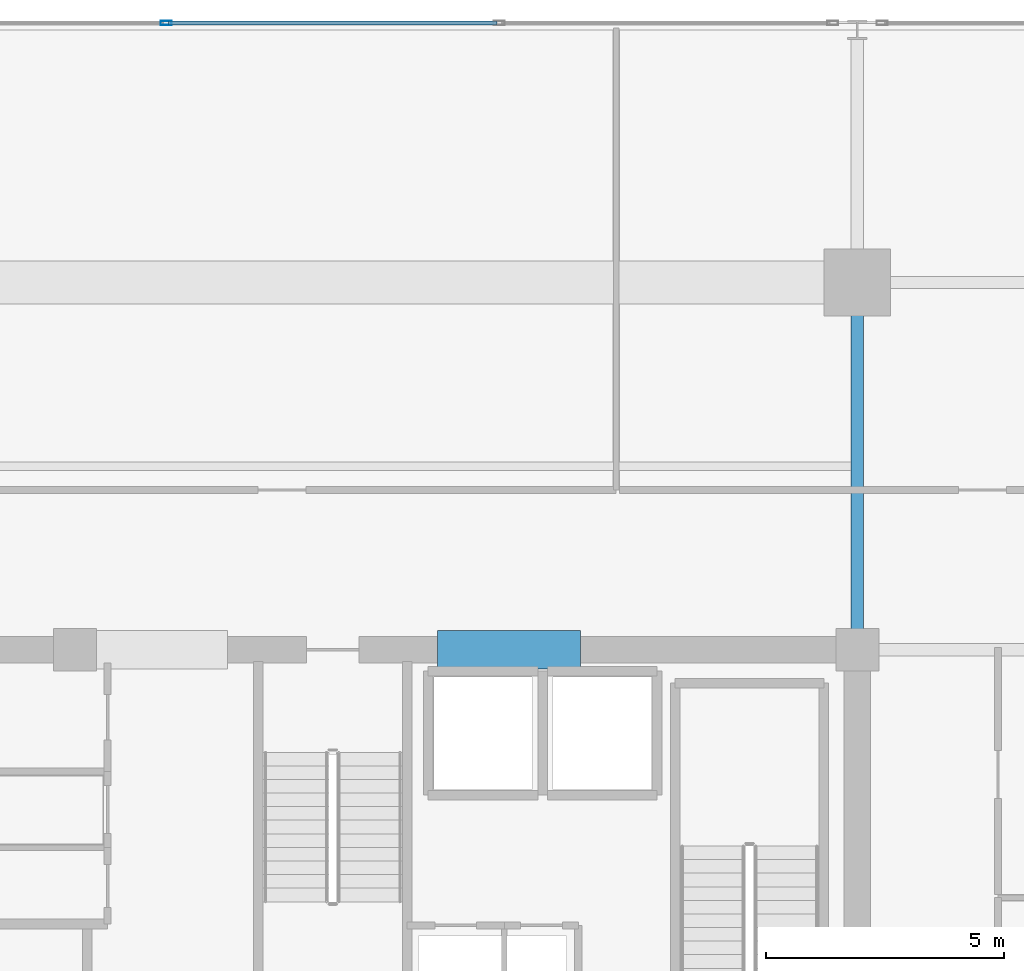
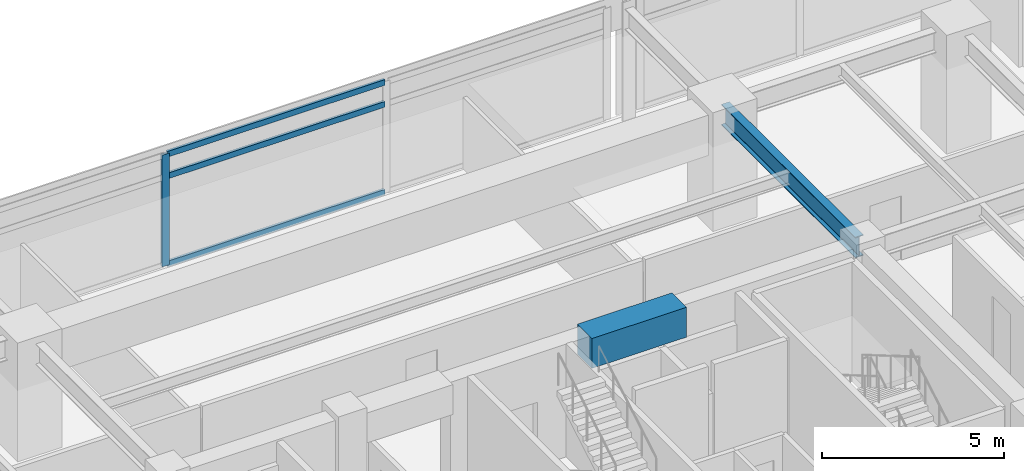
# One storey, part 10 of 23: 4 members, 2 beams, 1 element without a shape of its own.
"""IFC4 building model written with IfcOpenShell, lengths in metres."""

from ifc_helpers import new_model, si_unit, direction, frame, origin, origin_2d, place, context, subcontext, project, spatial, rectangle, hollow_rectangle, i_section, extrude, material, material_profile, profile_set, type_object, element, aggregate, save


model = new_model("IFC4")

# Units and contexts
model_context = context("Model", 3, precision=1e-05, world=origin(), true_north=direction((0.0, 1.0)))
body_context = subcontext(model_context, "Body", "Model", "MODEL_VIEW")
ifc_project = project(units=[si_unit("LENGTHUNIT", "METRE"), si_unit("AREAUNIT", "SQUARE_METRE"), si_unit("VOLUMEUNIT", "CUBIC_METRE"), si_unit("PLANEANGLEUNIT", "RADIAN"), si_unit("MASSUNIT", "GRAM", prefix="KILO")], contexts=[model_context])

# Site, building, storey
site_placement = place(None, origin())
site = spatial("IfcSite", under=ifc_project, at=site_placement, CompositionType="ELEMENT")
building_placement = place(site_placement, origin())
building = spatial("IfcBuilding", under=site, at=building_placement, Name="Kovane Verandah Tower", CompositionType="ELEMENT")
storey_placement = place(building_placement, frame((0.0, 0.0, 221.199951171875)))
storey = spatial("IfcBuildingStorey", under=building, at=storey_placement, Name="L51", CompositionType="ELEMENT", Elevation=221.199951171875)

# Beams
ifc_material_1 = material(Name="Concrete C60/75", Category="concrete")
ifc_material_profile_1 = material_profile(ifc_material_1, rectangle(XDim=0.800048828125, YDim=1.0, at=origin_2d()), Name="RCB800x1000")
ifc_profile_set_1 = profile_set([ifc_material_profile_1], Name="Concrete C60/75")
beam_type_1 = type_object("IfcBeamType", Name="BM-LINTEL-800x1000", PredefinedType="LINTEL", material=ifc_profile_set_1)
beam_1_placement = place(storey_placement, frame((42.199951171875, 36.5, 3.275146484375), z_axis=(1.0, 0.0, 0.0), x_axis=(0.0, 1.0, 0.0)))
element("IfcBeam", 1, at=beam_1_placement, inside=storey, type_object=beam_type_1, Name="L51 Core Coupling Lintel CL-N2", PredefinedType="LINTEL", context=body_context, shape_type="SweptSolid", body=[
    extrude(rectangle(XDim=0.800048828125, YDim=1.0, at=origin_2d()), origin(), (0.0, 0.0, 1.0), 3.0),
])
ifc_material_2 = material(Name="Steel S355", Category="steel")
ifc_material_profile_2 = material_profile(ifc_material_2, i_section(OverallWidth=0.255859375, OverallDepth=0.69287109375, WebThickness=0.014404296875, FlangeThickness=0.023681640625, FilletRadius=0.01513671875, at=origin_2d()), Name="UB686x254x170")
ifc_profile_set_2 = profile_set([ifc_material_profile_2], Name="Steel S355")
beam_type_2 = type_object("IfcBeamType", Name="BM-UB686x170", PredefinedType="BEAM", material=ifc_profile_set_2)
beam_2_placement = place(storey_placement, frame((51.0, 36.679931640625, 3.428466796875), z_axis=(0.0, 1.0, 0.0), x_axis=(-1.0, 0.0, 0.0)))
element("IfcBeam", 2, at=beam_2_placement, inside=storey, type_object=beam_type_2, Name="L51 Primary Tower Girder G-N2", PredefinedType="BEAM", context=body_context, shape_type="SweptSolid", body=[
    extrude(i_section(OverallWidth=0.255859375, OverallDepth=0.69287109375, WebThickness=0.014404296875, FlangeThickness=0.023681640625, FilletRadius=0.01513671875, at=origin_2d()), origin(), (0.0, 0.0, 1.0), 7.340087890625),
])

# Curtain wall, members
ifc_material_3 = material(Name="Champagne Anodised Aluminium Frame with Low-E Clear Laminated Glass", Category="aluminium")
curtain_wall_type = type_object("IfcCurtainWallType", Name="CW-SYS-03-MID", PredefinedType="NOTDEFINED", material=ifc_material_3)
curtain_wall_placement = place(storey_placement, origin())
curtain_wall = element("IfcCurtainWall", 3, at=curtain_wall_placement, inside=storey, type_object=curtain_wall_type, Name="L51 N Unitised Curtain Wall-2", PredefinedType="NOTDEFINED")
ifc_material_4 = material(Name="Champagne Anodised Aluminium 6063-T6", Category="aluminium")
ifc_material_profile_3 = material_profile(ifc_material_4, hollow_rectangle(XDim=0.0849609375, YDim=0.22998046875, WallThickness=0.00390625, at=origin_2d()), Name="AL85x230x4")
ifc_profile_set_3 = profile_set([ifc_material_profile_3], Name="Champagne Anodised Aluminium 6063-T6")
member_type_1 = type_object("IfcMemberType", Name="CW-MUL-85x230", PredefinedType="MULLION", material=ifc_profile_set_3)
member_1_placement = place(storey_placement, frame((36.506591796875, 49.640380859375, 0.02001953125), z_axis=(0.0, 0.0, 1.0), x_axis=(0.0, 1.0, 0.0)))
member_1 = element("IfcMember", 4, at=member_1_placement, type_object=member_type_1, Name="L51 N Unitised Curtain Wall-2 Mullion 3", PredefinedType="MULLION", context=body_context, shape_type="SweptSolid", body=[
    extrude(hollow_rectangle(XDim=0.0849609375, YDim=0.22998046875, WallThickness=0.00390625, at=origin_2d()), origin(), (0.0, 0.0, 1.0), 3.735107421875),
])
ifc_material_profile_4 = material_profile(ifc_material_4, hollow_rectangle(XDim=0.0849609375, YDim=0.18994140625, WallThickness=0.00390625, at=origin_2d()), Name="AL85x190x4")
ifc_profile_set_4 = profile_set([ifc_material_profile_4], Name="Champagne Anodised Aluminium 6063-T6")
member_type_2 = type_object("IfcMemberType", Name="CW-TRN-85x190", PredefinedType="USERDEFINED", material=ifc_profile_set_4)
member_2_placement = place(storey_placement, frame((43.443359375, 49.640380859375, 0.050048828125), z_axis=(-1.0, 0.0, 0.0), x_axis=(0.0, -1.0, 0.0)))
member_2 = element("IfcMember", 5, at=member_2_placement, type_object=member_type_2, Name="L51 N Unitised Curtain Wall-2 Transom TB Bay 2", ObjectType="TRANSOM", PredefinedType="USERDEFINED", context=body_context, shape_type="SweptSolid", body=[
    extrude(hollow_rectangle(XDim=0.0849609375, YDim=0.18994140625, WallThickness=0.00390625, at=origin_2d()), origin(), (0.0, 0.0, 1.0), 6.88671875),
])
member_3_placement = place(storey_placement, frame((43.443359375, 49.640380859375, 2.9951171875), z_axis=(-1.0, 0.0, 0.0), x_axis=(0.0, -1.0, 0.0)))
member_3 = element("IfcMember", 6, at=member_3_placement, type_object=member_type_2, Name="L51 N Unitised Curtain Wall-2 Transom TM Bay 2", ObjectType="TRANSOM", PredefinedType="USERDEFINED", context=body_context, shape_type="SweptSolid", body=[
    extrude(hollow_rectangle(XDim=0.0849609375, YDim=0.18994140625, WallThickness=0.00390625, at=origin_2d()), origin(), (0.0, 0.0, 1.0), 6.88671875),
])
member_4_placement = place(storey_placement, frame((43.443359375, 49.640380859375, 3.72509765625), z_axis=(-1.0, 0.0, 0.0), x_axis=(0.0, -1.0, 0.0)))
member_4 = element("IfcMember", 7, at=member_4_placement, type_object=member_type_2, Name="L51 N Unitised Curtain Wall-2 Transom TT Bay 2", ObjectType="TRANSOM", PredefinedType="USERDEFINED", context=body_context, shape_type="SweptSolid", body=[
    extrude(hollow_rectangle(XDim=0.0849609375, YDim=0.18994140625, WallThickness=0.00390625, at=origin_2d()), origin(), (0.0, 0.0, 1.0), 6.88671875),
])
aggregate(curtain_wall, [member_1, member_2, member_3, member_4])

save(model, "model.ifc")
